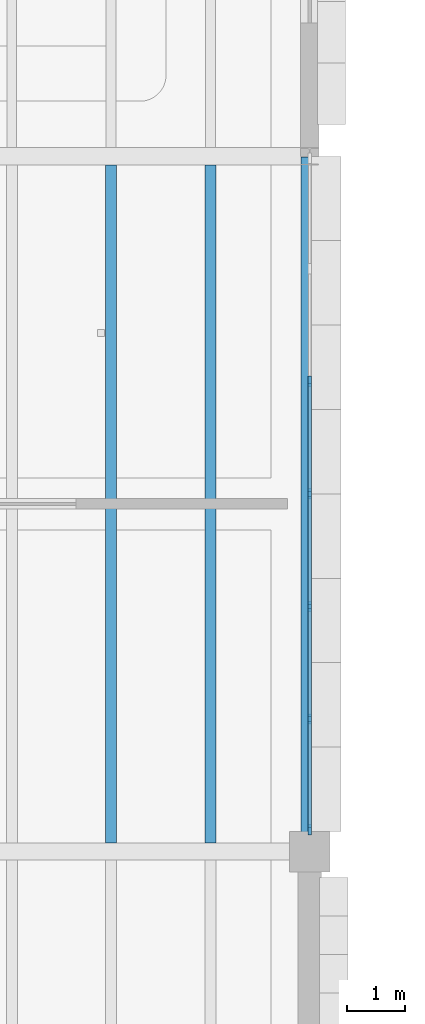
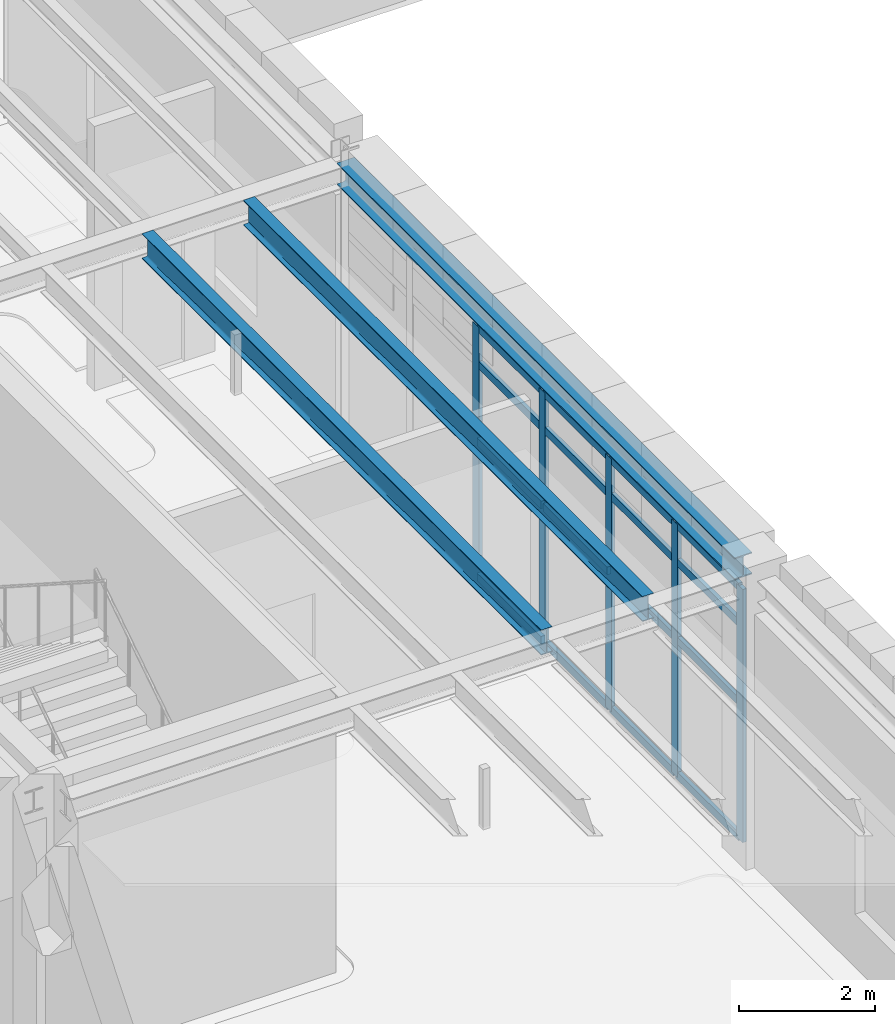
# One storey, part 39 of 100: 21 members, 3 beams, 1 element without a shape of its own.
"""IFC4 building model written with IfcOpenShell, lengths in metres."""

from ifc_helpers import new_model, si_unit, direction, frame, origin, origin_2d, place, context, subcontext, project, spatial, rectangle, i_section, extrude, material, layer, layer_set, material_profile, profile_set, type_object, element, aggregate, save


model = new_model("IFC4")

# Units and contexts
model_context = context("Model", 3, precision=1e-05, world=origin(), true_north=direction((0.0, 1.0)))
body_context = subcontext(model_context, "Body", "Model", "MODEL_VIEW")
ifc_project = project(units=[si_unit("LENGTHUNIT", "METRE"), si_unit("AREAUNIT", "SQUARE_METRE"), si_unit("VOLUMEUNIT", "CUBIC_METRE"), si_unit("PLANEANGLEUNIT", "RADIAN"), si_unit("MASSUNIT", "GRAM", prefix="KILO")], contexts=[model_context])

# Site, building, storey
site_placement = place(None, origin())
site = spatial("IfcSite", under=ifc_project, at=site_placement, CompositionType="ELEMENT")
building_placement = place(site_placement, origin())
building = spatial("IfcBuilding", under=site, at=building_placement, Name="Zlatogorsky Bluff Art Gallery", CompositionType="ELEMENT")
storey_placement = place(building_placement, frame((0.0, 0.0, 5.39990234375)))
storey = spatial("IfcBuildingStorey", under=building, at=storey_placement, Name="L01", CompositionType="ELEMENT", Elevation=5.39990234375)

# Beams
ifc_material_1 = material(Name="Steel S355", Category="steel")
ifc_material_profile_1 = material_profile(ifc_material_1, i_section(OverallWidth=0.300048828125, OverallDepth=0.389892578125, WebThickness=0.010986328125, FlangeThickness=0.01904296875, FilletRadius=0.027099609375, at=origin_2d()), Name="HEA 400")
ifc_profile_set_1 = profile_set([ifc_material_profile_1], Name="Steel S355")
beam_type_1 = type_object("IfcBeamType", Name="Beam BM-09 HEA 400", PredefinedType="BEAM", material=ifc_profile_set_1)
beam_placement = place(storey_placement, frame((132.0, 62.72998046875, 4.9150390625), z_axis=(0.0, 1.0, 0.0), x_axis=(-1.0, 0.0, 0.0)))
element("IfcBeam", 1, at=beam_placement, inside=storey, type_object=beam_type_1, Name="Primary girder BM-09 L01 M/7-8", PredefinedType="BEAM", context=body_context, shape_type="SweptSolid", body=[
    extrude(i_section(OverallWidth=0.300048828125, OverallDepth=0.389892578125, WebThickness=0.010986328125, FlangeThickness=0.01904296875, FilletRadius=0.027099609375, at=origin_2d()), origin(), (0.0, 0.0, 1.0), 11.655029296875),
])
ifc_material_profile_2 = material_profile(ifc_material_1, i_section(OverallWidth=0.18994140625, OverallDepth=0.449951171875, WebThickness=0.009521484375, FlangeThickness=0.0146484375, FilletRadius=0.02099609375, at=origin_2d()), Name="IPE 450")
ifc_profile_set_2 = profile_set([ifc_material_profile_2], Name="Steel S355")
beam_type_2 = type_object("IfcBeamType", Name="Beam JS-06 IPE 450", PredefinedType="JOIST", material=ifc_profile_set_2)
for number, where, z_axis, x_axis, name in (
    (2, (128.571533203125, 62.550048828125, 4.885009765625), (0.0, 1.0, 0.0), (-1.0, 0.0, 0.0), "Composite floor joist JS-06 L01 10.06.5"),
    (3, (130.28564453125, 62.550048828125, 4.885009765625), (0.0, 1.0, 0.0), (-1.0, 0.0, 0.0), "Composite floor joist JS-06 L01 10.06.6"),
):
    element("IfcBeam", number, at=place(storey_placement, frame(where, z_axis=z_axis, x_axis=x_axis)), inside=storey, type_object=beam_type_2, Name=name, PredefinedType="JOIST", context=body_context, shape_type="SweptSolid", body=[
        extrude(i_section(OverallWidth=0.18994140625, OverallDepth=0.449951171875, WebThickness=0.009521484375, FlangeThickness=0.0146484375, FilletRadius=0.02099609375, at=origin_2d()), origin(), (0.0, 0.0, 1.0), 11.699951171875),
    ])

# Curtain wall, members
ifc_material_2 = material(Name="Anodised Bronze Aluminium and Low-Iron Triple Glazing", Category="aluminium")
ifc_layer = layer(ifc_material_2, 0.219970703125)
ifc_layer_set = layer_set([ifc_layer], Name="Curtain Wall CW-04")
curtain_wall_type = type_object("IfcCurtainWallType", Name="Curtain Wall CW-04", PredefinedType="USERDEFINED", material=ifc_layer_set)
curtain_wall_placement = place(storey_placement, origin())
curtain_wall = element("IfcCurtainWall", 4, at=curtain_wall_placement, inside=storey, type_object=curtain_wall_type, Name="Unitised curtain wall CW-04 L01 E 10.6", ObjectType="CURTAIN WALL", PredefinedType="USERDEFINED")
ifc_material_3 = material(Name="Anodised Bronze Aluminium", Category="aluminium")
ifc_material_profile_3 = material_profile(ifc_material_3, rectangle(XDim=0.06494140625, YDim=0.179931640625, at=origin_2d()), Name="ALU MULLION 65x180")
ifc_profile_set_3 = profile_set([ifc_material_profile_3], Name="Anodised Bronze Aluminium")
member_type_1 = type_object("IfcMemberType", Name="Curtain Mullion ML-01", PredefinedType="MULLION", material=ifc_profile_set_3)
member_1_placement = place(storey_placement, frame((132.0, 62.777587890625, 0.0), z_axis=(0.0, 0.0, 1.0), x_axis=(-1.0, 0.0, 0.0)))
member_1 = element("IfcMember", 5, at=member_1_placement, type_object=member_type_1, Name="CW-04 mullion 1", PredefinedType="MULLION", context=body_context, shape_type="SweptSolid", body=[
    extrude(rectangle(XDim=0.06494140625, YDim=0.179931640625, at=origin_2d()), origin(), (0.0, 0.0, 1.0), 4.530029296875),
])
member_2_placement = place(storey_placement, frame((132.0, 64.6875, 0.0), z_axis=(0.0, 0.0, 1.0), x_axis=(-1.0, 0.0, 0.0)))
member_2 = element("IfcMember", 6, at=member_2_placement, type_object=member_type_1, Name="CW-04 mullion 2", PredefinedType="MULLION", context=body_context, shape_type="SweptSolid", body=[
    extrude(rectangle(XDim=0.06494140625, YDim=0.179931640625, at=origin_2d()), origin(), (0.0, 0.0, 1.0), 4.530029296875),
])
member_3_placement = place(storey_placement, frame((132.0, 66.6298828125, 0.0), z_axis=(0.0, 0.0, 1.0), x_axis=(-1.0, 0.0, 0.0)))
member_3 = element("IfcMember", 7, at=member_3_placement, type_object=member_type_1, Name="CW-04 mullion 3", PredefinedType="MULLION", context=body_context, shape_type="SweptSolid", body=[
    extrude(rectangle(XDim=0.06494140625, YDim=0.179931640625, at=origin_2d()), origin(), (0.0, 0.0, 1.0), 4.530029296875),
])
member_4_placement = place(storey_placement, frame((132.0, 68.572509765625, 0.0), z_axis=(0.0, 0.0, 1.0), x_axis=(-1.0, 0.0, 0.0)))
member_4 = element("IfcMember", 8, at=member_4_placement, type_object=member_type_1, Name="CW-04 mullion 4", PredefinedType="MULLION", context=body_context, shape_type="SweptSolid", body=[
    extrude(rectangle(XDim=0.06494140625, YDim=0.179931640625, at=origin_2d()), origin(), (0.0, 0.0, 1.0), 4.530029296875),
])
member_5_placement = place(storey_placement, frame((132.0, 70.514892578125, 0.0), z_axis=(0.0, 0.0, 1.0), x_axis=(-1.0, 0.0, 0.0)))
member_5 = element("IfcMember", 9, at=member_5_placement, type_object=member_type_1, Name="CW-04 mullion 5", PredefinedType="MULLION", context=body_context, shape_type="SweptSolid", body=[
    extrude(rectangle(XDim=0.06494140625, YDim=0.179931640625, at=origin_2d()), origin(), (0.0, 0.0, 1.0), 4.530029296875),
])
ifc_material_profile_4 = material_profile(ifc_material_3, rectangle(XDim=0.06494140625, YDim=0.139892578125, at=origin_2d()), Name="ALU TRANSOM 65x140")
ifc_profile_set_4 = profile_set([ifc_material_profile_4], Name="Anodised Bronze Aluminium")
member_type_2 = type_object("IfcMemberType", Name="Curtain Transom TR-01", PredefinedType="USERDEFINED", material=ifc_profile_set_4)
member_6_placement = place(storey_placement, frame((132.0, 62.81005859375, 0.03271484375), z_axis=(0.0, 1.0, 0.0), x_axis=(-1.0, 0.0, 0.0)))
member_6 = element("IfcMember", 10, at=member_6_placement, type_object=member_type_2, Name="CW-04 transom 1.1", ObjectType="TRANSOM", PredefinedType="USERDEFINED", context=body_context, shape_type="SweptSolid", body=[
    extrude(rectangle(XDim=0.06494140625, YDim=0.139892578125, at=origin_2d()), origin(), (0.0, 0.0, 1.0), 1.844970703125),
])
member_7_placement = place(storey_placement, frame((132.0, 62.81005859375, 2.4501953125), z_axis=(0.0, 1.0, 0.0), x_axis=(-1.0, 0.0, 0.0)))
member_7 = element("IfcMember", 11, at=member_7_placement, type_object=member_type_2, Name="CW-04 transom 1.2", ObjectType="TRANSOM", PredefinedType="USERDEFINED", context=body_context, shape_type="SweptSolid", body=[
    extrude(rectangle(XDim=0.06494140625, YDim=0.139892578125, at=origin_2d()), origin(), (0.0, 0.0, 1.0), 1.844970703125),
])
member_8_placement = place(storey_placement, frame((132.0, 62.81005859375, 3.85009765625), z_axis=(0.0, 1.0, 0.0), x_axis=(-1.0, 0.0, 0.0)))
member_8 = element("IfcMember", 12, at=member_8_placement, type_object=member_type_2, Name="CW-04 transom 1.3", ObjectType="TRANSOM", PredefinedType="USERDEFINED", context=body_context, shape_type="SweptSolid", body=[
    extrude(rectangle(XDim=0.06494140625, YDim=0.139892578125, at=origin_2d()), origin(), (0.0, 0.0, 1.0), 1.844970703125),
])
member_9_placement = place(storey_placement, frame((132.0, 62.81005859375, 4.49755859375), z_axis=(0.0, 1.0, 0.0), x_axis=(-1.0, 0.0, 0.0)))
member_9 = element("IfcMember", 13, at=member_9_placement, type_object=member_type_2, Name="CW-04 transom 1.4", ObjectType="TRANSOM", PredefinedType="USERDEFINED", context=body_context, shape_type="SweptSolid", body=[
    extrude(rectangle(XDim=0.06494140625, YDim=0.139892578125, at=origin_2d()), origin(), (0.0, 0.0, 1.0), 1.844970703125),
])
member_10_placement = place(storey_placement, frame((132.0, 64.719970703125, 0.03271484375), z_axis=(0.0, 1.0, 0.0), x_axis=(-1.0, 0.0, 0.0)))
member_10 = element("IfcMember", 14, at=member_10_placement, type_object=member_type_2, Name="CW-04 transom 2.1", ObjectType="TRANSOM", PredefinedType="USERDEFINED", context=body_context, shape_type="SweptSolid", body=[
    extrude(rectangle(XDim=0.06494140625, YDim=0.139892578125, at=origin_2d()), origin(), (0.0, 0.0, 1.0), 1.87744140625),
])
member_11_placement = place(storey_placement, frame((132.0, 64.719970703125, 2.4501953125), z_axis=(0.0, 1.0, 0.0), x_axis=(-1.0, 0.0, 0.0)))
member_11 = element("IfcMember", 15, at=member_11_placement, type_object=member_type_2, Name="CW-04 transom 2.2", ObjectType="TRANSOM", PredefinedType="USERDEFINED", context=body_context, shape_type="SweptSolid", body=[
    extrude(rectangle(XDim=0.06494140625, YDim=0.139892578125, at=origin_2d()), origin(), (0.0, 0.0, 1.0), 1.87744140625),
])
member_12_placement = place(storey_placement, frame((132.0, 64.719970703125, 3.85009765625), z_axis=(0.0, 1.0, 0.0), x_axis=(-1.0, 0.0, 0.0)))
member_12 = element("IfcMember", 16, at=member_12_placement, type_object=member_type_2, Name="CW-04 transom 2.3", ObjectType="TRANSOM", PredefinedType="USERDEFINED", context=body_context, shape_type="SweptSolid", body=[
    extrude(rectangle(XDim=0.06494140625, YDim=0.139892578125, at=origin_2d()), origin(), (0.0, 0.0, 1.0), 1.87744140625),
])
member_13_placement = place(storey_placement, frame((132.0, 64.719970703125, 4.49755859375), z_axis=(0.0, 1.0, 0.0), x_axis=(-1.0, 0.0, 0.0)))
member_13 = element("IfcMember", 17, at=member_13_placement, type_object=member_type_2, Name="CW-04 transom 2.4", ObjectType="TRANSOM", PredefinedType="USERDEFINED", context=body_context, shape_type="SweptSolid", body=[
    extrude(rectangle(XDim=0.06494140625, YDim=0.139892578125, at=origin_2d()), origin(), (0.0, 0.0, 1.0), 1.87744140625),
])
member_14_placement = place(storey_placement, frame((132.0, 66.66259765625, 0.03271484375), z_axis=(0.0, 1.0, 0.0), x_axis=(-1.0, 0.0, 0.0)))
member_14 = element("IfcMember", 18, at=member_14_placement, type_object=member_type_2, Name="CW-04 transom 3.1", ObjectType="TRANSOM", PredefinedType="USERDEFINED", context=body_context, shape_type="SweptSolid", body=[
    extrude(rectangle(XDim=0.06494140625, YDim=0.139892578125, at=origin_2d()), origin(), (0.0, 0.0, 1.0), 1.87744140625),
])
member_15_placement = place(storey_placement, frame((132.0, 66.66259765625, 2.4501953125), z_axis=(0.0, 1.0, 0.0), x_axis=(-1.0, 0.0, 0.0)))
member_15 = element("IfcMember", 19, at=member_15_placement, type_object=member_type_2, Name="CW-04 transom 3.2", ObjectType="TRANSOM", PredefinedType="USERDEFINED", context=body_context, shape_type="SweptSolid", body=[
    extrude(rectangle(XDim=0.06494140625, YDim=0.139892578125, at=origin_2d()), origin(), (0.0, 0.0, 1.0), 1.87744140625),
])
member_16_placement = place(storey_placement, frame((132.0, 66.66259765625, 3.85009765625), z_axis=(0.0, 1.0, 0.0), x_axis=(-1.0, 0.0, 0.0)))
member_16 = element("IfcMember", 20, at=member_16_placement, type_object=member_type_2, Name="CW-04 transom 3.3", ObjectType="TRANSOM", PredefinedType="USERDEFINED", context=body_context, shape_type="SweptSolid", body=[
    extrude(rectangle(XDim=0.06494140625, YDim=0.139892578125, at=origin_2d()), origin(), (0.0, 0.0, 1.0), 1.87744140625),
])
member_17_placement = place(storey_placement, frame((132.0, 66.66259765625, 4.49755859375), z_axis=(0.0, 1.0, 0.0), x_axis=(-1.0, 0.0, 0.0)))
member_17 = element("IfcMember", 21, at=member_17_placement, type_object=member_type_2, Name="CW-04 transom 3.4", ObjectType="TRANSOM", PredefinedType="USERDEFINED", context=body_context, shape_type="SweptSolid", body=[
    extrude(rectangle(XDim=0.06494140625, YDim=0.139892578125, at=origin_2d()), origin(), (0.0, 0.0, 1.0), 1.87744140625),
])
member_18_placement = place(storey_placement, frame((132.0, 68.60498046875, 0.03271484375), z_axis=(0.0, 1.0, 0.0), x_axis=(-1.0, 0.0, 0.0)))
member_18 = element("IfcMember", 22, at=member_18_placement, type_object=member_type_2, Name="CW-04 transom 4.1", ObjectType="TRANSOM", PredefinedType="USERDEFINED", context=body_context, shape_type="SweptSolid", body=[
    extrude(rectangle(XDim=0.06494140625, YDim=0.139892578125, at=origin_2d()), origin(), (0.0, 0.0, 1.0), 1.87744140625),
])
member_19_placement = place(storey_placement, frame((132.0, 68.60498046875, 2.4501953125), z_axis=(0.0, 1.0, 0.0), x_axis=(-1.0, 0.0, 0.0)))
member_19 = element("IfcMember", 23, at=member_19_placement, type_object=member_type_2, Name="CW-04 transom 4.2", ObjectType="TRANSOM", PredefinedType="USERDEFINED", context=body_context, shape_type="SweptSolid", body=[
    extrude(rectangle(XDim=0.06494140625, YDim=0.139892578125, at=origin_2d()), origin(), (0.0, 0.0, 1.0), 1.87744140625),
])
member_20_placement = place(storey_placement, frame((132.0, 68.60498046875, 3.85009765625), z_axis=(0.0, 1.0, 0.0), x_axis=(-1.0, 0.0, 0.0)))
member_20 = element("IfcMember", 24, at=member_20_placement, type_object=member_type_2, Name="CW-04 transom 4.3", ObjectType="TRANSOM", PredefinedType="USERDEFINED", context=body_context, shape_type="SweptSolid", body=[
    extrude(rectangle(XDim=0.06494140625, YDim=0.139892578125, at=origin_2d()), origin(), (0.0, 0.0, 1.0), 1.87744140625),
])
member_21_placement = place(storey_placement, frame((132.0, 68.60498046875, 4.49755859375), z_axis=(0.0, 1.0, 0.0), x_axis=(-1.0, 0.0, 0.0)))
member_21 = element("IfcMember", 25, at=member_21_placement, type_object=member_type_2, Name="CW-04 transom 4.4", ObjectType="TRANSOM", PredefinedType="USERDEFINED", context=body_context, shape_type="SweptSolid", body=[
    extrude(rectangle(XDim=0.06494140625, YDim=0.139892578125, at=origin_2d()), origin(), (0.0, 0.0, 1.0), 1.87744140625),
])
aggregate(curtain_wall, [member_1, member_2, member_3, member_4, member_5, member_6, member_7, member_8, member_9, member_10, member_11, member_12, member_13, member_14, member_15, member_16, member_17, member_18, member_19, member_20, member_21])

save(model, "model.ifc")
